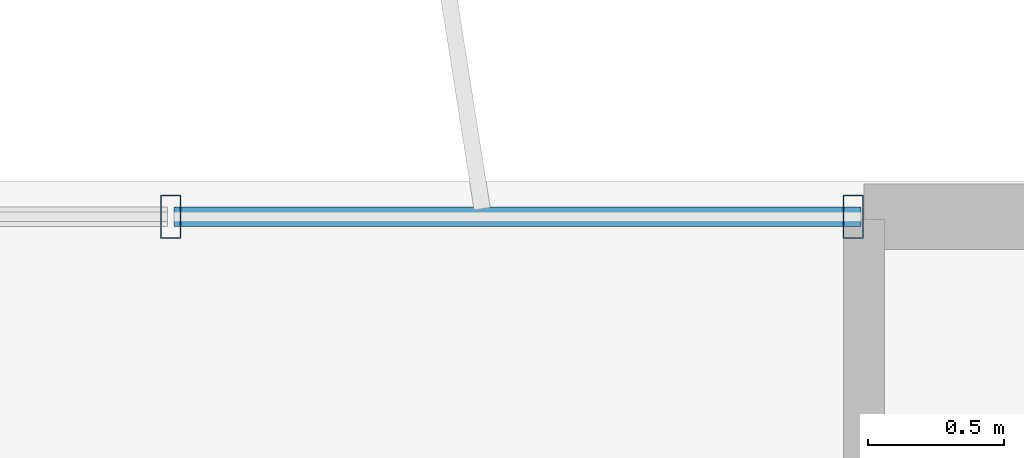
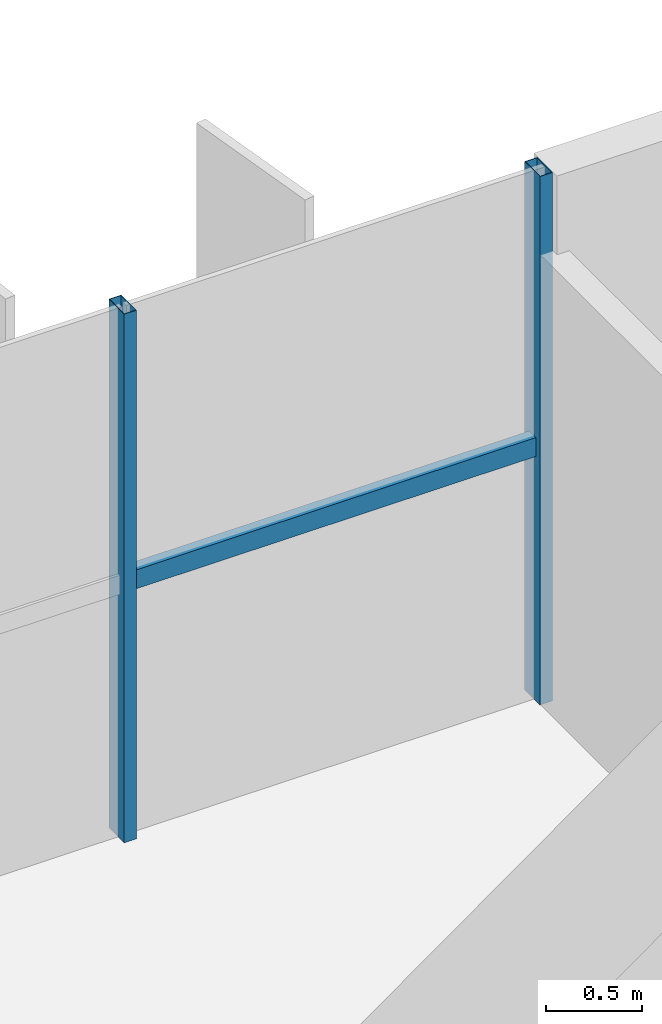
# One storey, part 24 of 34: 3 members, 1 element without a shape of its own.
"""IFC4 building model written with IfcOpenShell, lengths in metres."""

from ifc_helpers import new_model, si_unit, direction, frame, origin, origin_2d, place, context, subcontext, project, spatial, hollow_rectangle, extrude, source, transform, mapped, material, material_profile, profile_set, type_object, element, aggregate, save


model = new_model("IFC4")

# Units and contexts
model_context = context("Model", 3, precision=1e-05, world=origin(), true_north=direction((0.0, 1.0)))
body_context = subcontext(model_context, "Body", "Model", "MODEL_VIEW")
ifc_project = project(units=[si_unit("LENGTHUNIT", "METRE"), si_unit("AREAUNIT", "SQUARE_METRE"), si_unit("VOLUMEUNIT", "CUBIC_METRE"), si_unit("PLANEANGLEUNIT", "RADIAN"), si_unit("MASSUNIT", "GRAM", prefix="KILO")], contexts=[model_context])

# Site, building, storey
site_placement = place(None, origin())
site = spatial("IfcSite", under=ifc_project, at=site_placement, CompositionType="ELEMENT")
building_placement = place(site_placement, origin())
building = spatial("IfcBuilding", under=site, at=building_placement, Name="Trelvane Seafront Commons", CompositionType="ELEMENT")
storey_placement = place(building_placement, frame((0.0, 0.0, 197.699951171875)))
storey = spatial("IfcBuildingStorey", under=building, at=storey_placement, Name="L51", CompositionType="ELEMENT", Elevation=197.699951171875)

# Curtain wall, members
ifc_material = material(Name="Anodised pale-silver aluminium", Category="aluminium")
curtain_wall_type = type_object("IfcCurtainWallType", Name="ARCH-CW5-UPTOWER", PredefinedType="NOTDEFINED", material=ifc_material)
curtain_wall_placement = place(storey_placement, origin())
curtain_wall = element("IfcCurtainWall", 1, at=curtain_wall_placement, inside=storey, type_object=curtain_wall_type, Name="CW-L51-0084", PredefinedType="NOTDEFINED")
ifc_material_profile_1 = material_profile(ifc_material, hollow_rectangle(XDim=0.070068359375, YDim=0.1201171875, WallThickness=0.00390625, at=origin_2d()), Name="TRAN-70x120x4")
ifc_profile_set_1 = profile_set([ifc_material_profile_1], Name="Anodised pale-silver aluminium")
member_type_1 = type_object("IfcMemberType", Name="ARCH-CW-TRAN-120", PredefinedType="USERDEFINED", material=ifc_profile_set_1)
shared_shape_1 = source(origin(), body_context, "Body", "SweptSolid", [
    extrude(hollow_rectangle(XDim=0.070068359375, YDim=0.1201171875, WallThickness=0.00390625, at=origin_2d()), origin(), (0.0, 0.0, 1.0), 2.517333984375),
])
member_1_placement = place(storey_placement, frame((56.270751953125, 48.3701171875, 1.613037109375), z_axis=(1.0, 0.0, 0.0), x_axis=(0.0, 1.0, 0.0)))
member_1 = element("IfcMember", 2, at=member_1_placement, type_object=member_type_1, Name="CW-L51-0084-T16", ObjectType="TRANSOM", PredefinedType="USERDEFINED", context=body_context, shape_type="MappedRepresentation", body=[
    mapped(shared_shape_1, transform((0.0, 0.0, 0.0), x_axis=(1.0, 0.0, 0.0), y_axis=(0.0, 1.0, 0.0), z_axis=(0.0, 0.0, 1.0), scale=1.0)),
])
ifc_material_profile_2 = material_profile(ifc_material, hollow_rectangle(XDim=0.074951171875, YDim=0.159912109375, WallThickness=0.00390625, at=origin_2d()), Name="MULL-75x160x4")
ifc_profile_set_2 = profile_set([ifc_material_profile_2], Name="Anodised pale-silver aluminium")
member_type_2 = type_object("IfcMemberType", Name="ARCH-CW-MULL-160", PredefinedType="MULLION", material=ifc_profile_set_2)
shared_shape_2 = source(origin(), body_context, "Body", "SweptSolid", [
    extrude(hollow_rectangle(XDim=0.074951171875, YDim=0.159912109375, WallThickness=0.00390625, at=origin_2d()), origin(), (0.0, 0.0, 1.0), 3.360107421875),
])
member_2_placement = place(storey_placement, frame((56.2587890625, 48.3701171875, 0.0), z_axis=(0.0, 0.0, 1.0), x_axis=(1.0, 0.0, 0.0)))
member_2 = element("IfcMember", 3, at=member_2_placement, type_object=member_type_2, Name="CW-L51-0084-M16", PredefinedType="MULLION", context=body_context, shape_type="MappedRepresentation", body=[
    mapped(shared_shape_2, transform((0.0, 0.0, 0.0), x_axis=(1.0, 0.0, 0.0), y_axis=(0.0, 1.0, 0.0), z_axis=(0.0, 0.0, 1.0), scale=1.0)),
])
member_3_placement = place(storey_placement, frame((58.760009765625, 48.3701171875, 0.0), z_axis=(0.0, 0.0, 1.0), x_axis=(1.0, 0.0, 0.0)))
member_3 = element("IfcMember", 4, at=member_3_placement, type_object=member_type_2, Name="CW-L51-0084-M17", PredefinedType="MULLION", context=body_context, shape_type="MappedRepresentation", body=[
    mapped(shared_shape_2, transform((0.0, 0.0, 0.0), x_axis=(1.0, 0.0, 0.0), y_axis=(0.0, 1.0, 0.0), z_axis=(0.0, 0.0, 1.0), scale=1.0)),
])
aggregate(curtain_wall, [member_2, member_3, member_1])

save(model, "model.ifc")
